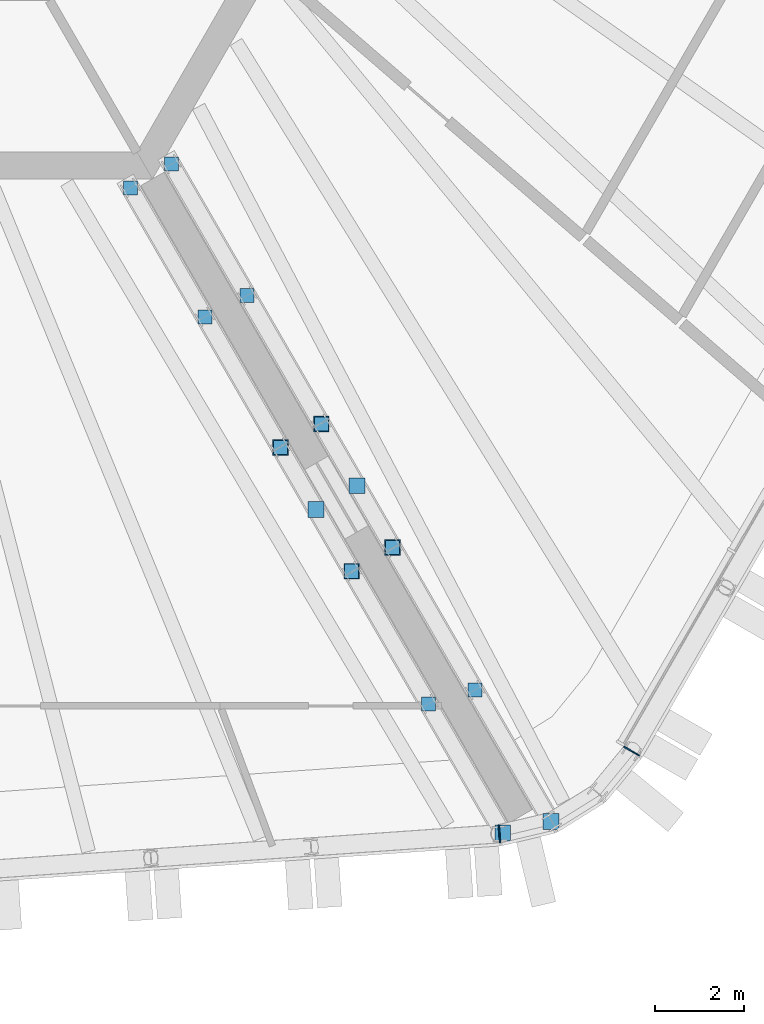
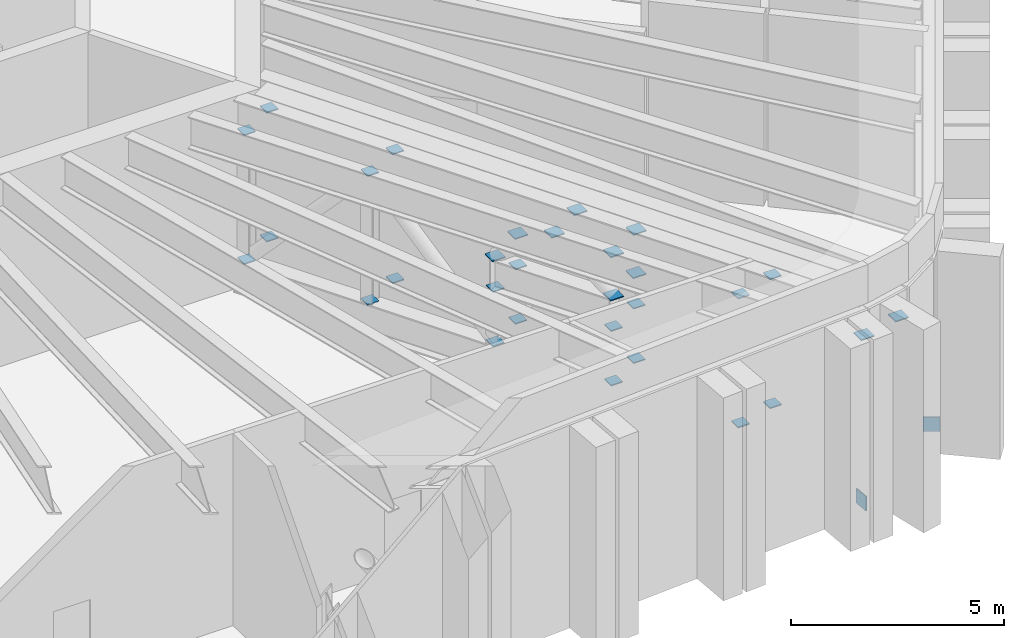
# One storey, part 22 of 27: 32 discrete accessories.
"""IFC4 building model written with IfcOpenShell, lengths in metres."""

from ifc_helpers import new_model, si_unit, direction, frame, origin, origin_2d, place, context, subcontext, project, spatial, rectangle, extrude, material, type_object, element, save


model = new_model("IFC4")

# Units and contexts
model_context = context("Model", 3, precision=1e-05, world=origin(), true_north=direction((0.0, 1.0)))
body_context = subcontext(model_context, "Body", "Model", "MODEL_VIEW")
ifc_project = project(units=[si_unit("LENGTHUNIT", "METRE"), si_unit("AREAUNIT", "SQUARE_METRE"), si_unit("VOLUMEUNIT", "CUBIC_METRE"), si_unit("PLANEANGLEUNIT", "RADIAN"), si_unit("MASSUNIT", "GRAM", prefix="KILO")], contexts=[model_context])

# Site, building, storey
site_placement = place(None, origin())
site = spatial("IfcSite", under=ifc_project, at=site_placement, CompositionType="ELEMENT")
building_placement = place(site_placement, origin())
building = spatial("IfcBuilding", under=site, at=building_placement, Name="Tarnside Tower", CompositionType="ELEMENT")
storey_placement = place(building_placement, frame((0.0, 0.0, 146.699951171875)))
storey = spatial("IfcBuildingStorey", under=building, at=storey_placement, Name="L34", CompositionType="ELEMENT", Elevation=146.699951171875)

# Discrete accessories
ifc_material = material(Name="Steel S355", Category="steel")
discrete_accessory_type_1 = type_object("IfcDiscreteAccessoryType", Name="Cast-in plate L34 belt truss chord end", PredefinedType="USERDEFINED", material=ifc_material)
for number, where, z_axis, x_axis, name in (
    (1, (15.8642578125, -28.688232421875, -0.2998046875), (0.0, 0.0, 1.0), (0.99756405026, 0.069756473744, 0.0), "Cast-in plate run L34 B"),
    (2, (18.830322265625, -26.834716796875, -0.2998046875), (0.0, 0.0, 1.0), (0.5, 0.866025403784, 0.0), "Cast-in plate run L34 A"),
):
    element("IfcDiscreteAccessory", number, at=place(storey_placement, frame(where, z_axis=z_axis, x_axis=x_axis)), inside=storey, type_object=discrete_accessory_type_1, Name=name, ObjectType="Cast-in plate", PredefinedType="USERDEFINED", context=body_context, shape_type="SweptSolid", body=[
        extrude(rectangle(XDim=0.030029296875, YDim=0.406982421875, at=origin_2d()), origin(), (0.0, 0.0, 1.0), 0.4189453125),
    ])
discrete_accessory_type_2 = type_object("IfcDiscreteAccessoryType", Name="Gusset plate L34 outrigger end 314", PredefinedType="USERDEFINED", material=ifc_material)
for number, where, z_axis, x_axis, name in (
    (3, (8.504150390625, -13.669189453125, 0.89111328125), (0.0, 0.0, 1.0), (1.0, 0.0, 0.0), "Gusset plate 71 L34"),
    (4, (8.504150390625, -13.669189453125, 4.5791015625), (0.0, 0.0, 1.0), (1.0, 0.0, 0.0), "Gusset plate 72 L34"),
    (5, (10.206787109375, -16.618408203125, 0.89111328125), (0.0, 0.0, 1.0), (1.0, 0.0, 0.0), "Gusset plate 73 L34"),
    (6, (10.206787109375, -16.618408203125, 4.5791015625), (0.0, 0.0, 1.0), (1.0, 0.0, 0.0), "Gusset plate 74 L34"),
    (7, (11.868896484375, -19.496826171875, 0.89111328125), (0.0, 0.0, 1.0), (1.0, 0.0, 0.0), "Gusset plate 75 L34"),
    (8, (11.868896484375, -19.496826171875, 2.4501953125), (0.0, 0.0, 1.0), (1.0, 0.0, 0.0), "Gusset plate 76 L34"),
    (9, (13.469970703125, -22.27001953125, 0.89111328125), (0.0, 0.0, 1.0), (1.0, 0.0, 0.0), "Gusset plate 77 L34"),
    (10, (13.469970703125, -22.27001953125, 2.4501953125), (0.0, 0.0, 1.0), (1.0, 0.0, 0.0), "Gusset plate 78 L34"),
    (11, (15.31494140625, -25.4658203125, 0.89111328125), (0.0, 0.0, 1.0), (1.0, 0.0, 0.0), "Gusset plate 79 L34"),
    (12, (15.31494140625, -25.4658203125, 4.5791015625), (0.0, 0.0, 1.0), (1.0, 0.0, 0.0), "Gusset plate 80 L34"),
    (13, (7.585693359375, -14.199462890625, 0.89111328125), (0.0, 0.0, 1.0), (1.0, 0.0, 0.0), "Gusset plate 88 L34"),
    (14, (7.585693359375, -14.199462890625, 4.5791015625), (0.0, 0.0, 1.0), (1.0, 0.0, 0.0), "Gusset plate 89 L34"),
    (15, (9.256591796875, -17.093505859375, 0.89111328125), (0.0, 0.0, 1.0), (1.0, 0.0, 0.0), "Gusset plate 90 L34"),
    (16, (9.256591796875, -17.093505859375, 4.5791015625), (0.0, 0.0, 1.0), (1.0, 0.0, 0.0), "Gusset plate 91 L34"),
    (17, (10.950439453125, -20.027099609375, 0.89111328125), (0.0, 0.0, 1.0), (1.0, 0.0, 0.0), "Gusset plate 92 L34"),
    (18, (10.950439453125, -20.027099609375, 2.4501953125), (0.0, 0.0, 1.0), (1.0, 0.0, 0.0), "Gusset plate 93 L34"),
    (19, (12.551513671875, -22.80029296875, 0.89111328125), (0.0, 0.0, 1.0), (1.0, 0.0, 0.0), "Gusset plate 94 L34"),
    (20, (12.551513671875, -22.80029296875, 2.4501953125), (0.0, 0.0, 1.0), (1.0, 0.0, 0.0), "Gusset plate 95 L34"),
    (21, (14.26953125, -25.77587890625, 0.89111328125), (0.0, 0.0, 1.0), (1.0, 0.0, 0.0), "Gusset plate 96 L34"),
    (22, (14.26953125, -25.77587890625, 4.5791015625), (0.0, 0.0, 1.0), (1.0, 0.0, 0.0), "Gusset plate 97 L34"),
):
    element("IfcDiscreteAccessory", number, at=place(storey_placement, frame(where, z_axis=z_axis, x_axis=x_axis)), inside=storey, type_object=discrete_accessory_type_2, Name=name, ObjectType="Gusset plate", PredefinedType="USERDEFINED", context=body_context, shape_type="SweptSolid", body=[
        extrude(rectangle(XDim=0.314453125, YDim=0.314453125, at=origin_2d()), origin(), (0.0, 0.0, 1.0), 0.030029296875),
    ])
discrete_accessory_type_3 = type_object("IfcDiscreteAccessoryType", Name="Gusset plate L34 outrigger end 356", PredefinedType="USERDEFINED", material=ifc_material)
for number, where, z_axis, x_axis, name in (
    (23, (11.868896484375, -19.496826171875, 3.3408203125), (0.0, 0.0, 1.0), (1.0, 0.0, 0.0), "Gusset plate 81 L34"),
    (24, (12.66943359375, -20.883544921875, 4.5791015625), (0.0, 0.0, 1.0), (1.0, 0.0, 0.0), "Gusset plate 82 L34"),
    (25, (13.469970703125, -22.27001953125, 3.3408203125), (0.0, 0.0, 1.0), (1.0, 0.0, 0.0), "Gusset plate 83 L34"),
    (26, (13.469970703125, -22.27001953125, 4.5791015625), (0.0, 0.0, 1.0), (1.0, 0.0, 0.0), "Gusset plate 84 L34"),
    (27, (17.017578125, -28.414794921875, 4.5791015625), (0.0, 0.0, 1.0), (1.0, 0.0, 0.0), "Gusset plate 85 L34"),
    (28, (10.950439453125, -20.027099609375, 3.3408203125), (0.0, 0.0, 1.0), (1.0, 0.0, 0.0), "Gusset plate 98 L34"),
    (29, (11.7509765625, -21.413818359375, 4.5791015625), (0.0, 0.0, 1.0), (1.0, 0.0, 0.0), "Gusset plate 99 L34"),
    (30, (12.551513671875, -22.80029296875, 3.3408203125), (0.0, 0.0, 1.0), (1.0, 0.0, 0.0), "Gusset plate 100 L34"),
    (31, (12.551513671875, -22.80029296875, 4.5791015625), (0.0, 0.0, 1.0), (1.0, 0.0, 0.0), "Gusset plate 101 L34"),
    (32, (15.9404296875, -28.670166015625, 4.5791015625), (0.0, 0.0, 1.0), (1.0, 0.0, 0.0), "Gusset plate 102 L34"),
):
    element("IfcDiscreteAccessory", number, at=place(storey_placement, frame(where, z_axis=z_axis, x_axis=x_axis)), inside=storey, type_object=discrete_accessory_type_3, Name=name, ObjectType="Gusset plate", PredefinedType="USERDEFINED", context=body_context, shape_type="SweptSolid", body=[
        extrude(rectangle(XDim=0.355712890625, YDim=0.355712890625, at=origin_2d()), origin(), (0.0, 0.0, 1.0), 0.030029296875),
    ])

save(model, "model.ifc")
